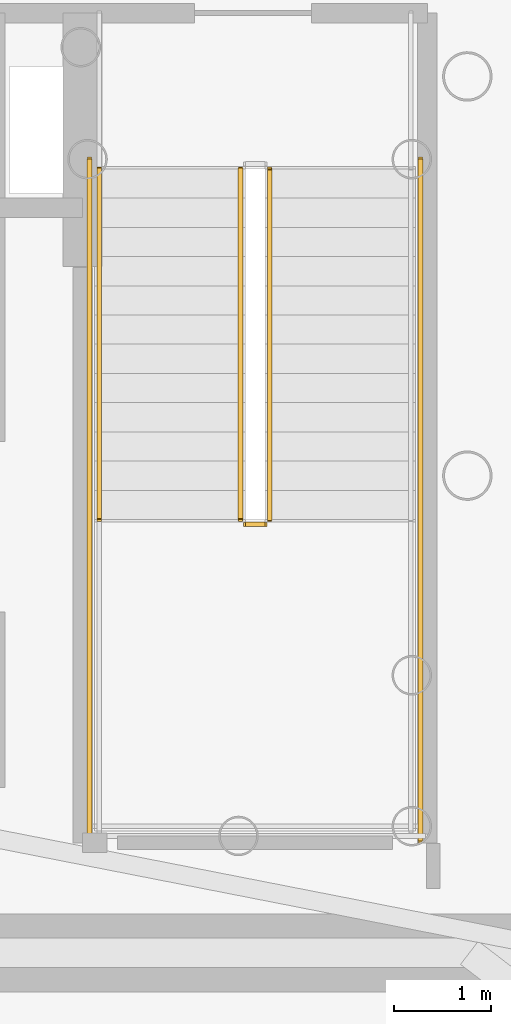
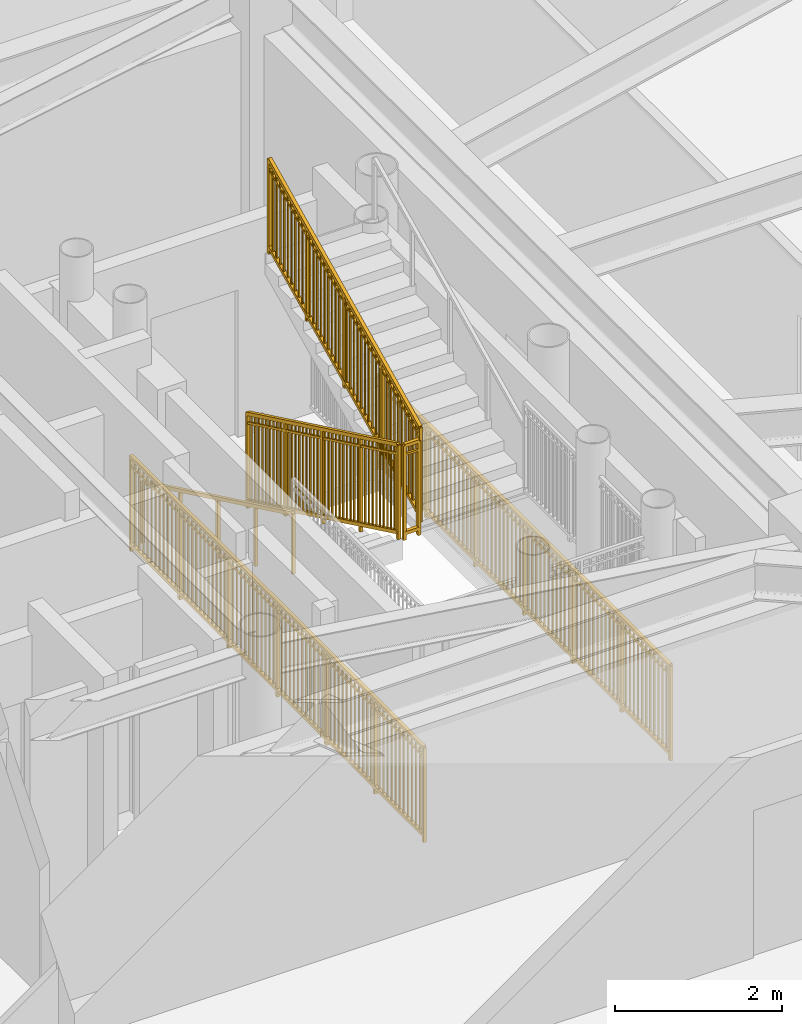
# One storey, part 15 of 16: 6 railings.
"""IFC4 building model written with IfcOpenShell, lengths in metres."""

from ifc_helpers import new_model, si_unit, direction, frame, origin, origin_2d, place, context, subcontext, project, spatial, rectangle, extrude, source, transform, mapped, material, type_object, element, save


model = new_model("IFC4")

# Units and contexts
model_context = context("Model", 3, precision=1e-05, world=origin(), true_north=direction((0.0, 1.0)))
body_context = subcontext(model_context, "Body", "Model", "MODEL_VIEW")
ifc_project = project(units=[si_unit("LENGTHUNIT", "METRE"), si_unit("AREAUNIT", "SQUARE_METRE"), si_unit("VOLUMEUNIT", "CUBIC_METRE"), si_unit("PLANEANGLEUNIT", "RADIAN"), si_unit("MASSUNIT", "GRAM", prefix="KILO")], contexts=[model_context])

# Site, building, storey
site_placement = place(None, origin())
site = spatial("IfcSite", under=ifc_project, at=site_placement, CompositionType="ELEMENT")
building_placement = place(site_placement, origin())
building = spatial("IfcBuilding", under=site, at=building_placement, Name="Linh Dai School and Residence Tower", CompositionType="ELEMENT")
storey_placement = place(building_placement, frame((0.0, 0.0, 138.449951171875)))
storey = spatial("IfcBuildingStorey", under=building, at=storey_placement, Name="L33", CompositionType="ELEMENT", Elevation=138.449951171875)

# Railings
ifc_material_1 = material(Name="Structural Steel S355JR", Category="steel")
railing_type_1 = type_object("IfcRailingType", Name="RL-ST-GUARD-1400", PredefinedType="GUARDRAIL", material=ifc_material_1)
shared_shape_1 = source(origin(), body_context, "Body", "SweptSolid", [
    extrude(rectangle(XDim=0.048095703125, YDim=0.048095703125, at=origin_2d()), frame((0.0, 0.0, 1.3759765625), z_axis=(0.0, 0.901262522062, 0.433273431364), x_axis=(-1.0, 0.0, 0.0)), (0.0, 0.0, 1.0), 3.994384765625),
    extrude(rectangle(XDim=0.048095703125, YDim=0.048095703125, at=origin_2d()), frame((0.0, 0.0, 0.10009765625), z_axis=(0.0, 0.901262522062, 0.433273431364), x_axis=(-1.0, 0.0, 0.0)), (0.0, 0.0, 1.0), 3.994384765625),
    extrude(rectangle(XDim=0.030029296875, YDim=0.030029296875, at=origin_2d()), frame((0.0, 0.0, 1.239990234375), z_axis=(0.0, 0.901262522062, 0.433273431364), x_axis=(-1.0, 0.0, 0.0)), (0.0, 0.0, 1.0), 3.994384765625),
    extrude(rectangle(XDim=0.02001953125, YDim=0.02001953125, at=origin_2d()), frame((0.0, 0.087890625, 0.142333984375)), (0.0, 0.0, 1.0), 1.251708984375),
    extrude(rectangle(XDim=0.02001953125, YDim=0.02001953125, at=origin_2d()), frame((0.0, 0.175537109375, 0.1845703125)), (0.0, 0.0, 1.0), 1.251708984375),
    extrude(rectangle(XDim=0.02001953125, YDim=0.02001953125, at=origin_2d()), frame((0.0, 0.263427734375, 0.226806640625)), (0.0, 0.0, 1.0), 1.251708984375),
    extrude(rectangle(XDim=0.02001953125, YDim=0.02001953125, at=origin_2d()), frame((0.0, 0.351318359375, 0.26904296875)), (0.0, 0.0, 1.0), 1.251708984375),
    extrude(rectangle(XDim=0.02001953125, YDim=0.02001953125, at=origin_2d()), frame((0.0, 0.43896484375, 0.311279296875)), (0.0, 0.0, 1.0), 1.251708984375),
    extrude(rectangle(XDim=0.02001953125, YDim=0.02001953125, at=origin_2d()), frame((0.0, 0.52685546875, 0.353271484375)), (0.0, 0.0, 1.0), 1.251708984375),
    extrude(rectangle(XDim=0.02001953125, YDim=0.02001953125, at=origin_2d()), frame((0.0, 0.61474609375, 0.3955078125)), (0.0, 0.0, 1.0), 1.251708984375),
    extrude(rectangle(XDim=0.02001953125, YDim=0.02001953125, at=origin_2d()), frame((0.0, 0.702392578125, 0.437744140625)), (0.0, 0.0, 1.0), 1.251708984375),
    extrude(rectangle(XDim=0.02001953125, YDim=0.02001953125, at=origin_2d()), frame((0.0, 0.790283203125, 0.47998046875)), (0.0, 0.0, 1.0), 1.251708984375),
    extrude(rectangle(XDim=0.02001953125, YDim=0.02001953125, at=origin_2d()), frame((0.0, 0.9658203125, 0.564453125)), (0.0, 0.0, 1.0), 1.251708984375),
    extrude(rectangle(XDim=0.02001953125, YDim=0.02001953125, at=origin_2d()), frame((0.0, 1.0537109375, 0.606689453125)), (0.0, 0.0, 1.0), 1.251708984375),
    extrude(rectangle(XDim=0.02001953125, YDim=0.02001953125, at=origin_2d()), frame((0.0, 1.1416015625, 0.64892578125)), (0.0, 0.0, 1.0), 1.251708984375),
    extrude(rectangle(XDim=0.02001953125, YDim=0.02001953125, at=origin_2d()), frame((0.0, 1.229248046875, 0.691162109375)), (0.0, 0.0, 1.0), 1.251708984375),
    extrude(rectangle(XDim=0.02001953125, YDim=0.02001953125, at=origin_2d()), frame((0.0, 1.317138671875, 0.7333984375)), (0.0, 0.0, 1.0), 1.251708984375),
    extrude(rectangle(XDim=0.02001953125, YDim=0.02001953125, at=origin_2d()), frame((0.0, 1.405029296875, 0.775390625)), (0.0, 0.0, 1.0), 1.251708984375),
    extrude(rectangle(XDim=0.02001953125, YDim=0.02001953125, at=origin_2d()), frame((0.0, 1.49267578125, 0.817626953125)), (0.0, 0.0, 1.0), 1.251708984375),
    extrude(rectangle(XDim=0.02001953125, YDim=0.02001953125, at=origin_2d()), frame((0.0, 1.58056640625, 0.85986328125)), (0.0, 0.0, 1.0), 1.251708984375),
    extrude(rectangle(XDim=0.02001953125, YDim=0.02001953125, at=origin_2d()), frame((0.0, 1.66845703125, 0.902099609375)), (0.0, 0.0, 1.0), 1.251708984375),
    extrude(rectangle(XDim=0.02001953125, YDim=0.02001953125, at=origin_2d()), frame((0.0, 1.756103515625, 0.9443359375)), (0.0, 0.0, 1.0), 1.251708984375),
    extrude(rectangle(XDim=0.02001953125, YDim=0.02001953125, at=origin_2d()), frame((0.0, 1.843994140625, 0.986572265625)), (0.0, 0.0, 1.0), 1.251708984375),
    extrude(rectangle(XDim=0.02001953125, YDim=0.02001953125, at=origin_2d()), frame((0.0, 1.931640625, 1.02880859375)), (0.0, 0.0, 1.0), 1.251708984375),
    extrude(rectangle(XDim=0.02001953125, YDim=0.02001953125, at=origin_2d()), frame((0.0, 2.01953125, 1.071044921875)), (0.0, 0.0, 1.0), 1.251708984375),
    extrude(rectangle(XDim=0.02001953125, YDim=0.02001953125, at=origin_2d()), frame((0.0, 2.107421875, 1.11328125)), (0.0, 0.0, 1.0), 1.251708984375),
    extrude(rectangle(XDim=0.02001953125, YDim=0.02001953125, at=origin_2d()), frame((0.0, 2.195068359375, 1.155517578125)), (0.0, 0.0, 1.0), 1.251708984375),
    extrude(rectangle(XDim=0.02001953125, YDim=0.02001953125, at=origin_2d()), frame((0.0, 2.282958984375, 1.197509765625)), (0.0, 0.0, 1.0), 1.251708984375),
    extrude(rectangle(XDim=0.02001953125, YDim=0.02001953125, at=origin_2d()), frame((0.0, 2.370849609375, 1.23974609375)), (0.0, 0.0, 1.0), 1.251708984375),
    extrude(rectangle(XDim=0.02001953125, YDim=0.02001953125, at=origin_2d()), frame((0.0, 2.45849609375, 1.281982421875)), (0.0, 0.0, 1.0), 1.251708984375),
    extrude(rectangle(XDim=0.02001953125, YDim=0.02001953125, at=origin_2d()), frame((0.0, 2.54638671875, 1.32421875)), (0.0, 0.0, 1.0), 1.251708984375),
    extrude(rectangle(XDim=0.02001953125, YDim=0.02001953125, at=origin_2d()), frame((0.0, 2.63427734375, 1.366455078125)), (0.0, 0.0, 1.0), 1.251708984375),
    extrude(rectangle(XDim=0.02001953125, YDim=0.02001953125, at=origin_2d()), frame((0.0, 2.809814453125, 1.450927734375)), (0.0, 0.0, 1.0), 1.251708984375),
    extrude(rectangle(XDim=0.02001953125, YDim=0.02001953125, at=origin_2d()), frame((0.0, 2.897705078125, 1.4931640625)), (0.0, 0.0, 1.0), 1.251708984375),
    extrude(rectangle(XDim=0.02001953125, YDim=0.02001953125, at=origin_2d()), frame((0.0, 2.9853515625, 1.535400390625)), (0.0, 0.0, 1.0), 1.251708984375),
    extrude(rectangle(XDim=0.02001953125, YDim=0.02001953125, at=origin_2d()), frame((0.0, 3.0732421875, 1.57763671875)), (0.0, 0.0, 1.0), 1.251708984375),
    extrude(rectangle(XDim=0.02001953125, YDim=0.02001953125, at=origin_2d()), frame((0.0, 3.1611328125, 1.61962890625)), (0.0, 0.0, 1.0), 1.251708984375),
    extrude(rectangle(XDim=0.02001953125, YDim=0.02001953125, at=origin_2d()), frame((0.0, 3.248779296875, 1.661865234375)), (0.0, 0.0, 1.0), 1.251708984375),
    extrude(rectangle(XDim=0.02001953125, YDim=0.02001953125, at=origin_2d()), frame((0.0, 3.336669921875, 1.7041015625)), (0.0, 0.0, 1.0), 1.251708984375),
    extrude(rectangle(XDim=0.02001953125, YDim=0.02001953125, at=origin_2d()), frame((0.0, 3.424560546875, 1.746337890625)), (0.0, 0.0, 1.0), 1.251708984375),
    extrude(rectangle(XDim=0.02001953125, YDim=0.02001953125, at=origin_2d()), frame((0.0, 3.51220703125, 1.78857421875)), (0.0, 0.0, 1.0), 1.251708984375),
    extrude(rectangle(XDim=0.0419921875, YDim=0.0419921875, at=origin_2d()), origin(), (0.0, 0.0, 1.0), 1.3759765625),
    extrude(rectangle(XDim=0.0419921875, YDim=0.0419921875, at=origin_2d()), frame((0.0, 0.89990234375, 0.4326171875)), (0.0, 0.0, 1.0), 1.3759765625),
    extrude(rectangle(XDim=0.0419921875, YDim=0.0419921875, at=origin_2d()), frame((0.0, 1.800048828125, 0.865234375)), (0.0, 0.0, 1.0), 1.3759765625),
    extrude(rectangle(XDim=0.0419921875, YDim=0.0419921875, at=origin_2d()), frame((0.0, 2.7001953125, 1.298095703125)), (0.0, 0.0, 1.0), 1.3759765625),
    extrude(rectangle(XDim=0.0419921875, YDim=0.0419921875, at=origin_2d()), frame((0.0, 3.60009765625, 1.730712890625)), (0.0, 0.0, 1.0), 1.3759765625),
])
railing_1_placement = place(storey_placement, frame((42.820068359375, 24.64990234375, 2.019287109375)))
element("IfcRailing", 1, at=railing_1_placement, inside=storey, type_object=railing_type_1, Name="L33 ST2 stair guard 6", PredefinedType="GUARDRAIL", context=body_context, shape_type="MappedRepresentation", body=[
    mapped(shared_shape_1, transform((0.0, 0.0, 0.0), x_axis=(1.0, 0.0, 0.0), y_axis=(0.0, 1.0, 0.0), z_axis=(0.0, 0.0, 1.0), scale=1.0)),
])
shared_shape_2 = source(origin(), body_context, "Body", "SweptSolid", [
    extrude(rectangle(XDim=0.048095703125, YDim=0.048095703125, at=origin_2d()), frame((0.0, 0.0, 1.3759765625), z_axis=(0.0, -0.901262522062, 0.433273431364), x_axis=(1.0, 0.0, 0.0)), (0.0, 0.0, 1.0), 3.994384765625),
    extrude(rectangle(XDim=0.048095703125, YDim=0.048095703125, at=origin_2d()), frame((0.0, 0.0, 0.10009765625), z_axis=(0.0, -0.901262522062, 0.433273431364), x_axis=(1.0, 0.0, 0.0)), (0.0, 0.0, 1.0), 3.994384765625),
    extrude(rectangle(XDim=0.030029296875, YDim=0.030029296875, at=origin_2d()), frame((0.0, 0.0, 1.239990234375), z_axis=(0.0, -0.901262522062, 0.433273431364), x_axis=(1.0, 0.0, 0.0)), (0.0, 0.0, 1.0), 3.994384765625),
    extrude(rectangle(XDim=0.02001953125, YDim=0.02001953125, at=origin_2d()), frame((0.0, -0.087890625, 0.142333984375)), (0.0, 0.0, 1.0), 1.251708984375),
    extrude(rectangle(XDim=0.02001953125, YDim=0.02001953125, at=origin_2d()), frame((0.0, -0.175537109375, 0.1845703125)), (0.0, 0.0, 1.0), 1.251708984375),
    extrude(rectangle(XDim=0.02001953125, YDim=0.02001953125, at=origin_2d()), frame((0.0, -0.263427734375, 0.226806640625)), (0.0, 0.0, 1.0), 1.251708984375),
    extrude(rectangle(XDim=0.02001953125, YDim=0.02001953125, at=origin_2d()), frame((0.0, -0.351318359375, 0.26904296875)), (0.0, 0.0, 1.0), 1.251708984375),
    extrude(rectangle(XDim=0.02001953125, YDim=0.02001953125, at=origin_2d()), frame((0.0, -0.43896484375, 0.311279296875)), (0.0, 0.0, 1.0), 1.251708984375),
    extrude(rectangle(XDim=0.02001953125, YDim=0.02001953125, at=origin_2d()), frame((0.0, -0.52685546875, 0.353271484375)), (0.0, 0.0, 1.0), 1.251708984375),
    extrude(rectangle(XDim=0.02001953125, YDim=0.02001953125, at=origin_2d()), frame((0.0, -0.61474609375, 0.3955078125)), (0.0, 0.0, 1.0), 1.251708984375),
    extrude(rectangle(XDim=0.02001953125, YDim=0.02001953125, at=origin_2d()), frame((0.0, -0.702392578125, 0.437744140625)), (0.0, 0.0, 1.0), 1.251708984375),
    extrude(rectangle(XDim=0.02001953125, YDim=0.02001953125, at=origin_2d()), frame((0.0, -0.790283203125, 0.47998046875)), (0.0, 0.0, 1.0), 1.251708984375),
    extrude(rectangle(XDim=0.02001953125, YDim=0.02001953125, at=origin_2d()), frame((0.0, -0.9658203125, 0.564453125)), (0.0, 0.0, 1.0), 1.251708984375),
    extrude(rectangle(XDim=0.02001953125, YDim=0.02001953125, at=origin_2d()), frame((0.0, -1.0537109375, 0.606689453125)), (0.0, 0.0, 1.0), 1.251708984375),
    extrude(rectangle(XDim=0.02001953125, YDim=0.02001953125, at=origin_2d()), frame((0.0, -1.1416015625, 0.64892578125)), (0.0, 0.0, 1.0), 1.251708984375),
    extrude(rectangle(XDim=0.02001953125, YDim=0.02001953125, at=origin_2d()), frame((0.0, -1.229248046875, 0.691162109375)), (0.0, 0.0, 1.0), 1.251708984375),
    extrude(rectangle(XDim=0.02001953125, YDim=0.02001953125, at=origin_2d()), frame((0.0, -1.317138671875, 0.7333984375)), (0.0, 0.0, 1.0), 1.251708984375),
    extrude(rectangle(XDim=0.02001953125, YDim=0.02001953125, at=origin_2d()), frame((0.0, -1.405029296875, 0.775390625)), (0.0, 0.0, 1.0), 1.251708984375),
    extrude(rectangle(XDim=0.02001953125, YDim=0.02001953125, at=origin_2d()), frame((0.0, -1.49267578125, 0.817626953125)), (0.0, 0.0, 1.0), 1.251708984375),
    extrude(rectangle(XDim=0.02001953125, YDim=0.02001953125, at=origin_2d()), frame((0.0, -1.58056640625, 0.85986328125)), (0.0, 0.0, 1.0), 1.251708984375),
    extrude(rectangle(XDim=0.02001953125, YDim=0.02001953125, at=origin_2d()), frame((0.0, -1.66845703125, 0.902099609375)), (0.0, 0.0, 1.0), 1.251708984375),
    extrude(rectangle(XDim=0.02001953125, YDim=0.02001953125, at=origin_2d()), frame((0.0, -1.756103515625, 0.9443359375)), (0.0, 0.0, 1.0), 1.251708984375),
    extrude(rectangle(XDim=0.02001953125, YDim=0.02001953125, at=origin_2d()), frame((0.0, -1.843994140625, 0.986572265625)), (0.0, 0.0, 1.0), 1.251708984375),
    extrude(rectangle(XDim=0.02001953125, YDim=0.02001953125, at=origin_2d()), frame((0.0, -1.931640625, 1.02880859375)), (0.0, 0.0, 1.0), 1.251708984375),
    extrude(rectangle(XDim=0.02001953125, YDim=0.02001953125, at=origin_2d()), frame((0.0, -2.01953125, 1.071044921875)), (0.0, 0.0, 1.0), 1.251708984375),
    extrude(rectangle(XDim=0.02001953125, YDim=0.02001953125, at=origin_2d()), frame((0.0, -2.107421875, 1.11328125)), (0.0, 0.0, 1.0), 1.251708984375),
    extrude(rectangle(XDim=0.02001953125, YDim=0.02001953125, at=origin_2d()), frame((0.0, -2.195068359375, 1.155517578125)), (0.0, 0.0, 1.0), 1.251708984375),
    extrude(rectangle(XDim=0.02001953125, YDim=0.02001953125, at=origin_2d()), frame((0.0, -2.282958984375, 1.197509765625)), (0.0, 0.0, 1.0), 1.251708984375),
    extrude(rectangle(XDim=0.02001953125, YDim=0.02001953125, at=origin_2d()), frame((0.0, -2.370849609375, 1.23974609375)), (0.0, 0.0, 1.0), 1.251708984375),
    extrude(rectangle(XDim=0.02001953125, YDim=0.02001953125, at=origin_2d()), frame((0.0, -2.45849609375, 1.281982421875)), (0.0, 0.0, 1.0), 1.251708984375),
    extrude(rectangle(XDim=0.02001953125, YDim=0.02001953125, at=origin_2d()), frame((0.0, -2.54638671875, 1.32421875)), (0.0, 0.0, 1.0), 1.251708984375),
    extrude(rectangle(XDim=0.02001953125, YDim=0.02001953125, at=origin_2d()), frame((0.0, -2.63427734375, 1.366455078125)), (0.0, 0.0, 1.0), 1.251708984375),
    extrude(rectangle(XDim=0.02001953125, YDim=0.02001953125, at=origin_2d()), frame((0.0, -2.809814453125, 1.450927734375)), (0.0, 0.0, 1.0), 1.251708984375),
    extrude(rectangle(XDim=0.02001953125, YDim=0.02001953125, at=origin_2d()), frame((0.0, -2.897705078125, 1.4931640625)), (0.0, 0.0, 1.0), 1.251708984375),
    extrude(rectangle(XDim=0.02001953125, YDim=0.02001953125, at=origin_2d()), frame((0.0, -2.9853515625, 1.535400390625)), (0.0, 0.0, 1.0), 1.251708984375),
    extrude(rectangle(XDim=0.02001953125, YDim=0.02001953125, at=origin_2d()), frame((0.0, -3.0732421875, 1.57763671875)), (0.0, 0.0, 1.0), 1.251708984375),
    extrude(rectangle(XDim=0.02001953125, YDim=0.02001953125, at=origin_2d()), frame((0.0, -3.1611328125, 1.61962890625)), (0.0, 0.0, 1.0), 1.251708984375),
    extrude(rectangle(XDim=0.02001953125, YDim=0.02001953125, at=origin_2d()), frame((0.0, -3.248779296875, 1.661865234375)), (0.0, 0.0, 1.0), 1.251708984375),
    extrude(rectangle(XDim=0.02001953125, YDim=0.02001953125, at=origin_2d()), frame((0.0, -3.336669921875, 1.7041015625)), (0.0, 0.0, 1.0), 1.251708984375),
    extrude(rectangle(XDim=0.02001953125, YDim=0.02001953125, at=origin_2d()), frame((0.0, -3.424560546875, 1.746337890625)), (0.0, 0.0, 1.0), 1.251708984375),
    extrude(rectangle(XDim=0.02001953125, YDim=0.02001953125, at=origin_2d()), frame((0.0, -3.51220703125, 1.78857421875)), (0.0, 0.0, 1.0), 1.251708984375),
    extrude(rectangle(XDim=0.0419921875, YDim=0.0419921875, at=origin_2d()), origin(), (0.0, 0.0, 1.0), 1.3759765625),
    extrude(rectangle(XDim=0.0419921875, YDim=0.0419921875, at=origin_2d()), frame((0.0, -0.89990234375, 0.4326171875)), (0.0, 0.0, 1.0), 1.3759765625),
    extrude(rectangle(XDim=0.0419921875, YDim=0.0419921875, at=origin_2d()), frame((0.0, -1.800048828125, 0.865234375)), (0.0, 0.0, 1.0), 1.3759765625),
    extrude(rectangle(XDim=0.0419921875, YDim=0.0419921875, at=origin_2d()), frame((0.0, -2.7001953125, 1.298095703125)), (0.0, 0.0, 1.0), 1.3759765625),
    extrude(rectangle(XDim=0.0419921875, YDim=0.0419921875, at=origin_2d()), frame((0.0, -3.60009765625, 1.730712890625)), (0.0, 0.0, 1.0), 1.3759765625),
])
railing_2_placement = place(storey_placement, frame((42.52001953125, 28.25, 0.144287109375)))
element("IfcRailing", 2, at=railing_2_placement, inside=storey, type_object=railing_type_1, Name="L33 ST2 stair guard 1", PredefinedType="GUARDRAIL", context=body_context, shape_type="MappedRepresentation", body=[
    mapped(shared_shape_2, transform((0.0, 0.0, 0.0), x_axis=(1.0, 0.0, 0.0), y_axis=(0.0, 1.0, 0.0), z_axis=(0.0, 0.0, 1.0), scale=1.0)),
])
ifc_material_2 = material(Name="Brushed Stainless Steel Handrail", Category="steel")
railing_type_2 = type_object("IfcRailingType", Name="RL-ST-HANDRAIL-900", PredefinedType="HANDRAIL", material=ifc_material_2)
shared_shape_3 = source(origin(), body_context, "Body", "SweptSolid", [
    extrude(rectangle(XDim=0.048095703125, YDim=0.048095703125, at=origin_2d()), frame((0.0, 0.0, 0.8759765625), z_axis=(0.0, -0.901262522062, 0.433273431364), x_axis=(1.0, 0.0, 0.0)), (0.0, 0.0, 1.0), 3.994384765625),
    extrude(rectangle(XDim=0.0419921875, YDim=0.0419921875, at=origin_2d()), origin(), (0.0, 0.0, 1.0), 0.8759765625),
    extrude(rectangle(XDim=0.0419921875, YDim=0.0419921875, at=origin_2d()), frame((0.0, -0.89990234375, 0.4326171875)), (0.0, 0.0, 1.0), 0.8759765625),
    extrude(rectangle(XDim=0.0419921875, YDim=0.0419921875, at=origin_2d()), frame((0.0, -1.800048828125, 0.865234375)), (0.0, 0.0, 1.0), 0.8759765625),
    extrude(rectangle(XDim=0.0419921875, YDim=0.0419921875, at=origin_2d()), frame((0.0, -2.7001953125, 1.298095703125)), (0.0, 0.0, 1.0), 0.8759765625),
    extrude(rectangle(XDim=0.0419921875, YDim=0.0419921875, at=origin_2d()), frame((0.0, -3.60009765625, 1.730712890625)), (0.0, 0.0, 1.0), 0.8759765625),
])
railing_3_placement = place(storey_placement, frame((41.070068359375, 28.25, 0.144287109375)))
element("IfcRailing", 3, at=railing_3_placement, inside=storey, type_object=railing_type_2, Name="L33 ST2 stair handrail 1", PredefinedType="HANDRAIL", context=body_context, shape_type="MappedRepresentation", body=[
    mapped(shared_shape_3, transform((0.0, 0.0, 0.0), x_axis=(1.0, 0.0, 0.0), y_axis=(0.0, 1.0, 0.0), z_axis=(0.0, 0.0, 1.0), scale=1.0)),
])
shared_shape_4 = source(origin(), body_context, "Body", "SweptSolid", [
    extrude(rectangle(XDim=0.048095703125, YDim=0.048095703125, at=origin_2d()), frame((0.0, 0.0, 1.3759765625), z_axis=(1.0, 0.0, 0.0), x_axis=(0.0, 1.0, 0.0)), (0.0, 0.0, 1.0), 0.199951171875),
    extrude(rectangle(XDim=0.048095703125, YDim=0.048095703125, at=origin_2d()), frame((0.0, 0.0, 0.10009765625), z_axis=(1.0, 0.0, 0.0), x_axis=(0.0, 1.0, 0.0)), (0.0, 0.0, 1.0), 0.199951171875),
    extrude(rectangle(XDim=0.030029296875, YDim=0.030029296875, at=origin_2d()), frame((0.0, 0.0, 1.239990234375), z_axis=(1.0, 0.0, 0.0), x_axis=(0.0, 1.0, 0.0)), (0.0, 0.0, 1.0), 0.199951171875),
    extrude(rectangle(XDim=0.0419921875, YDim=0.0419921875, at=origin_2d()), origin(), (0.0, 0.0, 1.0), 1.3759765625),
    extrude(rectangle(XDim=0.0419921875, YDim=0.0419921875, at=origin_2d()), frame((0.199951171875, 0.0, 0.0)), (0.0, 0.0, 1.0), 1.3759765625),
])
railing_4_placement = place(storey_placement, frame((42.570068359375, 24.60009765625, 1.875)))
element("IfcRailing", 4, at=railing_4_placement, inside=storey, type_object=railing_type_1, Name="L33 ST2 stair guard 2", PredefinedType="GUARDRAIL", context=body_context, shape_type="MappedRepresentation", body=[
    mapped(shared_shape_4, transform((0.0, 0.0, 0.0), x_axis=(1.0, 0.0, 0.0), y_axis=(0.0, 1.0, 0.0), z_axis=(0.0, 0.0, 1.0), scale=1.0)),
])
shared_shape_5 = source(origin(), body_context, "Body", "SweptSolid", [
    extrude(rectangle(XDim=0.048095703125, YDim=0.048095703125, at=origin_2d()), frame((0.0, 0.0, 1.3759765625), z_axis=(0.0, -1.0, 0.0), x_axis=(1.0, 0.0, 0.0)), (0.0, 0.0, 1.0), 7.0),
    extrude(rectangle(XDim=0.048095703125, YDim=0.048095703125, at=origin_2d()), frame((0.0, 0.0, 0.10009765625), z_axis=(0.0, -1.0, 0.0), x_axis=(1.0, 0.0, 0.0)), (0.0, 0.0, 1.0), 7.0),
    extrude(rectangle(XDim=0.030029296875, YDim=0.030029296875, at=origin_2d()), frame((0.0, 0.0, 1.239990234375), z_axis=(0.0, -1.0, 0.0), x_axis=(1.0, 0.0, 0.0)), (0.0, 0.0, 1.0), 7.0),
    extrude(rectangle(XDim=0.02001953125, YDim=0.02001953125, at=origin_2d()), frame((0.0, -0.09716796875, 0.10009765625)), (0.0, 0.0, 1.0), 1.251708984375),
    extrude(rectangle(XDim=0.02001953125, YDim=0.02001953125, at=origin_2d()), frame((0.0, -0.1943359375, 0.10009765625)), (0.0, 0.0, 1.0), 1.251708984375),
    extrude(rectangle(XDim=0.02001953125, YDim=0.02001953125, at=origin_2d()), frame((0.0, -0.291748046875, 0.10009765625)), (0.0, 0.0, 1.0), 1.251708984375),
    extrude(rectangle(XDim=0.02001953125, YDim=0.02001953125, at=origin_2d()), frame((0.0, -0.388916015625, 0.10009765625)), (0.0, 0.0, 1.0), 1.251708984375),
    extrude(rectangle(XDim=0.02001953125, YDim=0.02001953125, at=origin_2d()), frame((0.0, -0.486083984375, 0.10009765625)), (0.0, 0.0, 1.0), 1.251708984375),
    extrude(rectangle(XDim=0.02001953125, YDim=0.02001953125, at=origin_2d()), frame((0.0, -0.583251953125, 0.10009765625)), (0.0, 0.0, 1.0), 1.251708984375),
    extrude(rectangle(XDim=0.02001953125, YDim=0.02001953125, at=origin_2d()), frame((0.0, -0.6806640625, 0.10009765625)), (0.0, 0.0, 1.0), 1.251708984375),
    extrude(rectangle(XDim=0.02001953125, YDim=0.02001953125, at=origin_2d()), frame((0.0, -0.77783203125, 0.10009765625)), (0.0, 0.0, 1.0), 1.251708984375),
    extrude(rectangle(XDim=0.02001953125, YDim=0.02001953125, at=origin_2d()), frame((0.0, -0.875, 0.10009765625)), (0.0, 0.0, 1.0), 1.251708984375),
    extrude(rectangle(XDim=0.02001953125, YDim=0.02001953125, at=origin_2d()), frame((0.0, -0.97216796875, 0.10009765625)), (0.0, 0.0, 1.0), 1.251708984375),
    extrude(rectangle(XDim=0.02001953125, YDim=0.02001953125, at=origin_2d()), frame((0.0, -1.0693359375, 0.10009765625)), (0.0, 0.0, 1.0), 1.251708984375),
    extrude(rectangle(XDim=0.02001953125, YDim=0.02001953125, at=origin_2d()), frame((0.0, -1.263916015625, 0.10009765625)), (0.0, 0.0, 1.0), 1.251708984375),
    extrude(rectangle(XDim=0.02001953125, YDim=0.02001953125, at=origin_2d()), frame((0.0, -1.361083984375, 0.10009765625)), (0.0, 0.0, 1.0), 1.251708984375),
    extrude(rectangle(XDim=0.02001953125, YDim=0.02001953125, at=origin_2d()), frame((0.0, -1.458251953125, 0.10009765625)), (0.0, 0.0, 1.0), 1.251708984375),
    extrude(rectangle(XDim=0.02001953125, YDim=0.02001953125, at=origin_2d()), frame((0.0, -1.5556640625, 0.10009765625)), (0.0, 0.0, 1.0), 1.251708984375),
    extrude(rectangle(XDim=0.02001953125, YDim=0.02001953125, at=origin_2d()), frame((0.0, -1.65283203125, 0.10009765625)), (0.0, 0.0, 1.0), 1.251708984375),
    extrude(rectangle(XDim=0.02001953125, YDim=0.02001953125, at=origin_2d()), frame((0.0, -1.75, 0.10009765625)), (0.0, 0.0, 1.0), 1.251708984375),
    extrude(rectangle(XDim=0.02001953125, YDim=0.02001953125, at=origin_2d()), frame((0.0, -1.84716796875, 0.10009765625)), (0.0, 0.0, 1.0), 1.251708984375),
    extrude(rectangle(XDim=0.02001953125, YDim=0.02001953125, at=origin_2d()), frame((0.0, -1.9443359375, 0.10009765625)), (0.0, 0.0, 1.0), 1.251708984375),
    extrude(rectangle(XDim=0.02001953125, YDim=0.02001953125, at=origin_2d()), frame((0.0, -2.041748046875, 0.10009765625)), (0.0, 0.0, 1.0), 1.251708984375),
    extrude(rectangle(XDim=0.02001953125, YDim=0.02001953125, at=origin_2d()), frame((0.0, -2.138916015625, 0.10009765625)), (0.0, 0.0, 1.0), 1.251708984375),
    extrude(rectangle(XDim=0.02001953125, YDim=0.02001953125, at=origin_2d()), frame((0.0, -2.236083984375, 0.10009765625)), (0.0, 0.0, 1.0), 1.251708984375),
    extrude(rectangle(XDim=0.02001953125, YDim=0.02001953125, at=origin_2d()), frame((0.0, -2.4306640625, 0.10009765625)), (0.0, 0.0, 1.0), 1.251708984375),
    extrude(rectangle(XDim=0.02001953125, YDim=0.02001953125, at=origin_2d()), frame((0.0, -2.52783203125, 0.10009765625)), (0.0, 0.0, 1.0), 1.251708984375),
    extrude(rectangle(XDim=0.02001953125, YDim=0.02001953125, at=origin_2d()), frame((0.0, -2.625, 0.10009765625)), (0.0, 0.0, 1.0), 1.251708984375),
    extrude(rectangle(XDim=0.02001953125, YDim=0.02001953125, at=origin_2d()), frame((0.0, -2.72216796875, 0.10009765625)), (0.0, 0.0, 1.0), 1.251708984375),
    extrude(rectangle(XDim=0.02001953125, YDim=0.02001953125, at=origin_2d()), frame((0.0, -2.8193359375, 0.10009765625)), (0.0, 0.0, 1.0), 1.251708984375),
    extrude(rectangle(XDim=0.02001953125, YDim=0.02001953125, at=origin_2d()), frame((0.0, -2.916748046875, 0.10009765625)), (0.0, 0.0, 1.0), 1.251708984375),
    extrude(rectangle(XDim=0.02001953125, YDim=0.02001953125, at=origin_2d()), frame((0.0, -3.013916015625, 0.10009765625)), (0.0, 0.0, 1.0), 1.251708984375),
    extrude(rectangle(XDim=0.02001953125, YDim=0.02001953125, at=origin_2d()), frame((0.0, -3.111083984375, 0.10009765625)), (0.0, 0.0, 1.0), 1.251708984375),
    extrude(rectangle(XDim=0.02001953125, YDim=0.02001953125, at=origin_2d()), frame((0.0, -3.208251953125, 0.10009765625)), (0.0, 0.0, 1.0), 1.251708984375),
    extrude(rectangle(XDim=0.02001953125, YDim=0.02001953125, at=origin_2d()), frame((0.0, -3.3056640625, 0.10009765625)), (0.0, 0.0, 1.0), 1.251708984375),
    extrude(rectangle(XDim=0.02001953125, YDim=0.02001953125, at=origin_2d()), frame((0.0, -3.40283203125, 0.10009765625)), (0.0, 0.0, 1.0), 1.251708984375),
    extrude(rectangle(XDim=0.02001953125, YDim=0.02001953125, at=origin_2d()), frame((0.0, -3.59716796875, 0.10009765625)), (0.0, 0.0, 1.0), 1.251708984375),
    extrude(rectangle(XDim=0.02001953125, YDim=0.02001953125, at=origin_2d()), frame((0.0, -3.6943359375, 0.10009765625)), (0.0, 0.0, 1.0), 1.251708984375),
    extrude(rectangle(XDim=0.02001953125, YDim=0.02001953125, at=origin_2d()), frame((0.0, -3.791748046875, 0.10009765625)), (0.0, 0.0, 1.0), 1.251708984375),
    extrude(rectangle(XDim=0.02001953125, YDim=0.02001953125, at=origin_2d()), frame((0.0, -3.888916015625, 0.10009765625)), (0.0, 0.0, 1.0), 1.251708984375),
    extrude(rectangle(XDim=0.02001953125, YDim=0.02001953125, at=origin_2d()), frame((0.0, -3.986083984375, 0.10009765625)), (0.0, 0.0, 1.0), 1.251708984375),
    extrude(rectangle(XDim=0.02001953125, YDim=0.02001953125, at=origin_2d()), frame((0.0, -4.083251953125, 0.10009765625)), (0.0, 0.0, 1.0), 1.251708984375),
    extrude(rectangle(XDim=0.02001953125, YDim=0.02001953125, at=origin_2d()), frame((0.0, -4.1806640625, 0.10009765625)), (0.0, 0.0, 1.0), 1.251708984375),
    extrude(rectangle(XDim=0.02001953125, YDim=0.02001953125, at=origin_2d()), frame((0.0, -4.27783203125, 0.10009765625)), (0.0, 0.0, 1.0), 1.251708984375),
    extrude(rectangle(XDim=0.02001953125, YDim=0.02001953125, at=origin_2d()), frame((0.0, -4.375, 0.10009765625)), (0.0, 0.0, 1.0), 1.251708984375),
    extrude(rectangle(XDim=0.02001953125, YDim=0.02001953125, at=origin_2d()), frame((0.0, -4.47216796875, 0.10009765625)), (0.0, 0.0, 1.0), 1.251708984375),
    extrude(rectangle(XDim=0.02001953125, YDim=0.02001953125, at=origin_2d()), frame((0.0, -4.5693359375, 0.10009765625)), (0.0, 0.0, 1.0), 1.251708984375),
    extrude(rectangle(XDim=0.02001953125, YDim=0.02001953125, at=origin_2d()), frame((0.0, -4.763916015625, 0.10009765625)), (0.0, 0.0, 1.0), 1.251708984375),
    extrude(rectangle(XDim=0.02001953125, YDim=0.02001953125, at=origin_2d()), frame((0.0, -4.861083984375, 0.10009765625)), (0.0, 0.0, 1.0), 1.251708984375),
    extrude(rectangle(XDim=0.02001953125, YDim=0.02001953125, at=origin_2d()), frame((0.0, -4.958251953125, 0.10009765625)), (0.0, 0.0, 1.0), 1.251708984375),
    extrude(rectangle(XDim=0.02001953125, YDim=0.02001953125, at=origin_2d()), frame((0.0, -5.0556640625, 0.10009765625)), (0.0, 0.0, 1.0), 1.251708984375),
    extrude(rectangle(XDim=0.02001953125, YDim=0.02001953125, at=origin_2d()), frame((0.0, -5.15283203125, 0.10009765625)), (0.0, 0.0, 1.0), 1.251708984375),
    extrude(rectangle(XDim=0.02001953125, YDim=0.02001953125, at=origin_2d()), frame((0.0, -5.25, 0.10009765625)), (0.0, 0.0, 1.0), 1.251708984375),
    extrude(rectangle(XDim=0.02001953125, YDim=0.02001953125, at=origin_2d()), frame((0.0, -5.34716796875, 0.10009765625)), (0.0, 0.0, 1.0), 1.251708984375),
    extrude(rectangle(XDim=0.02001953125, YDim=0.02001953125, at=origin_2d()), frame((0.0, -5.4443359375, 0.10009765625)), (0.0, 0.0, 1.0), 1.251708984375),
    extrude(rectangle(XDim=0.02001953125, YDim=0.02001953125, at=origin_2d()), frame((0.0, -5.541748046875, 0.10009765625)), (0.0, 0.0, 1.0), 1.251708984375),
    extrude(rectangle(XDim=0.02001953125, YDim=0.02001953125, at=origin_2d()), frame((0.0, -5.638916015625, 0.10009765625)), (0.0, 0.0, 1.0), 1.251708984375),
    extrude(rectangle(XDim=0.02001953125, YDim=0.02001953125, at=origin_2d()), frame((0.0, -5.736083984375, 0.10009765625)), (0.0, 0.0, 1.0), 1.251708984375),
    extrude(rectangle(XDim=0.02001953125, YDim=0.02001953125, at=origin_2d()), frame((0.0, -5.9306640625, 0.10009765625)), (0.0, 0.0, 1.0), 1.251708984375),
    extrude(rectangle(XDim=0.02001953125, YDim=0.02001953125, at=origin_2d()), frame((0.0, -6.02783203125, 0.10009765625)), (0.0, 0.0, 1.0), 1.251708984375),
    extrude(rectangle(XDim=0.02001953125, YDim=0.02001953125, at=origin_2d()), frame((0.0, -6.125, 0.10009765625)), (0.0, 0.0, 1.0), 1.251708984375),
    extrude(rectangle(XDim=0.02001953125, YDim=0.02001953125, at=origin_2d()), frame((0.0, -6.22216796875, 0.10009765625)), (0.0, 0.0, 1.0), 1.251708984375),
    extrude(rectangle(XDim=0.02001953125, YDim=0.02001953125, at=origin_2d()), frame((0.0, -6.3193359375, 0.10009765625)), (0.0, 0.0, 1.0), 1.251708984375),
    extrude(rectangle(XDim=0.02001953125, YDim=0.02001953125, at=origin_2d()), frame((0.0, -6.416748046875, 0.10009765625)), (0.0, 0.0, 1.0), 1.251708984375),
    extrude(rectangle(XDim=0.02001953125, YDim=0.02001953125, at=origin_2d()), frame((0.0, -6.513916015625, 0.10009765625)), (0.0, 0.0, 1.0), 1.251708984375),
    extrude(rectangle(XDim=0.02001953125, YDim=0.02001953125, at=origin_2d()), frame((0.0, -6.611083984375, 0.10009765625)), (0.0, 0.0, 1.0), 1.251708984375),
    extrude(rectangle(XDim=0.02001953125, YDim=0.02001953125, at=origin_2d()), frame((0.0, -6.708251953125, 0.10009765625)), (0.0, 0.0, 1.0), 1.251708984375),
    extrude(rectangle(XDim=0.02001953125, YDim=0.02001953125, at=origin_2d()), frame((0.0, -6.8056640625, 0.10009765625)), (0.0, 0.0, 1.0), 1.251708984375),
    extrude(rectangle(XDim=0.02001953125, YDim=0.02001953125, at=origin_2d()), frame((0.0, -6.90283203125, 0.10009765625)), (0.0, 0.0, 1.0), 1.251708984375),
    extrude(rectangle(XDim=0.0419921875, YDim=0.0419921875, at=origin_2d()), origin(), (0.0, 0.0, 1.0), 1.3759765625),
    extrude(rectangle(XDim=0.0419921875, YDim=0.0419921875, at=origin_2d()), frame((0.0, -1.166748046875, 0.0)), (0.0, 0.0, 1.0), 1.3759765625),
    extrude(rectangle(XDim=0.0419921875, YDim=0.0419921875, at=origin_2d()), frame((0.0, -2.333251953125, 0.0)), (0.0, 0.0, 1.0), 1.3759765625),
    extrude(rectangle(XDim=0.0419921875, YDim=0.0419921875, at=origin_2d()), frame((0.0, -3.5, 0.0)), (0.0, 0.0, 1.0), 1.3759765625),
    extrude(rectangle(XDim=0.0419921875, YDim=0.0419921875, at=origin_2d()), frame((0.0, -4.666748046875, 0.0)), (0.0, 0.0, 1.0), 1.3759765625),
    extrude(rectangle(XDim=0.0419921875, YDim=0.0419921875, at=origin_2d()), frame((0.0, -5.833251953125, 0.0)), (0.0, 0.0, 1.0), 1.3759765625),
    extrude(rectangle(XDim=0.0419921875, YDim=0.0419921875, at=origin_2d()), frame((0.0, -7.0, 0.0)), (0.0, 0.0, 1.0), 1.3759765625),
])
for number, where, name in (
    (5, (40.969970703125, 28.35009765625, 0.0), "L33 ST2 stair guard 10"),
    (6, (44.3701171875, 28.35009765625, 0.0), "L33 ST2 stair guard 11"),
):
    element("IfcRailing", number, at=place(storey_placement, frame(where)), inside=storey, type_object=railing_type_1, Name=name, PredefinedType="GUARDRAIL", context=body_context, shape_type="MappedRepresentation", body=[
        mapped(shared_shape_5, transform((0.0, 0.0, 0.0), x_axis=(1.0, 0.0, 0.0), y_axis=(0.0, 1.0, 0.0), z_axis=(0.0, 0.0, 1.0), scale=1.0)),
    ])

save(model, "model.ifc")
